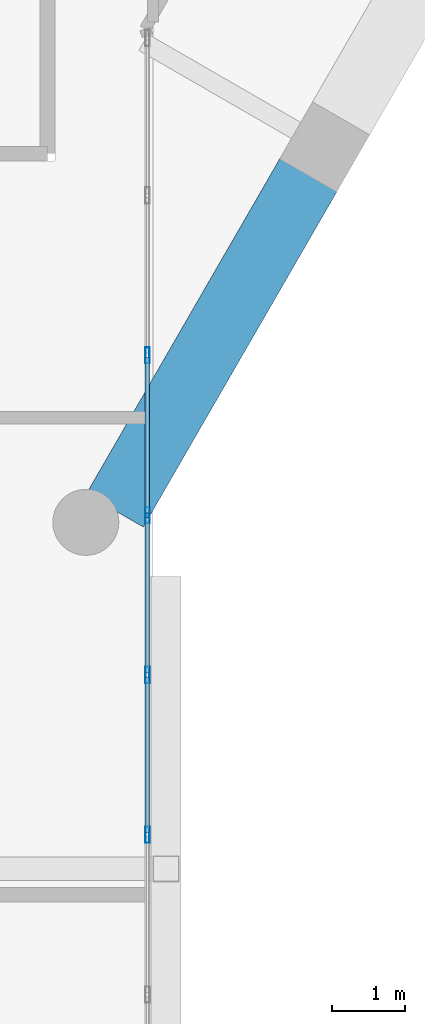
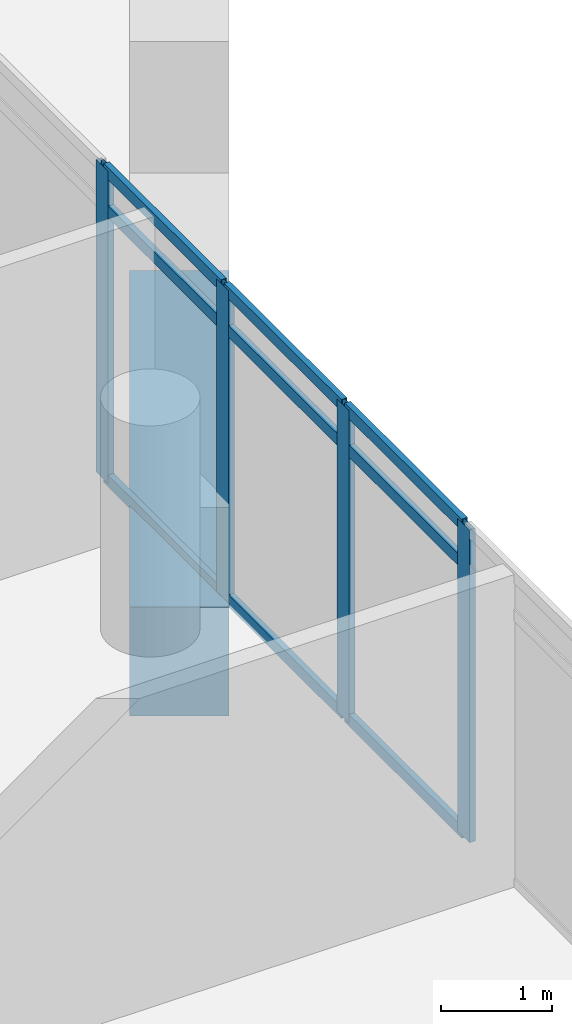
# One storey, part 12 of 34: 13 members, 1 beam, 1 element without a shape of its own.
"""IFC4 building model written with IfcOpenShell, lengths in metres."""

from ifc_helpers import new_model, si_unit, direction, frame, origin, origin_2d, place, context, subcontext, project, spatial, rectangle, hollow_rectangle, extrude, material, material_profile, profile_set, type_object, element, aggregate, save


model = new_model("IFC4")

# Units and contexts
model_context = context("Model", 3, precision=1e-05, world=origin(), true_north=direction((0.0, 1.0)))
body_context = subcontext(model_context, "Body", "Model", "MODEL_VIEW")
ifc_project = project(units=[si_unit("LENGTHUNIT", "METRE"), si_unit("AREAUNIT", "SQUARE_METRE"), si_unit("VOLUMEUNIT", "CUBIC_METRE"), si_unit("PLANEANGLEUNIT", "RADIAN"), si_unit("MASSUNIT", "GRAM", prefix="KILO")], contexts=[model_context])

# Site, building, storey
site_placement = place(None, origin())
site = spatial("IfcSite", under=ifc_project, at=site_placement, CompositionType="ELEMENT")
building_placement = place(site_placement, origin())
building = spatial("IfcBuilding", under=site, at=building_placement, Name="Ostrander Bayou Hotel Tower", CompositionType="ELEMENT")
storey_placement = place(building_placement, frame((0.0, 0.0, 222.0)))
storey = spatial("IfcBuildingStorey", under=building, at=storey_placement, Name="L55", CompositionType="ELEMENT", Elevation=222.0)

# Curtain wall, members
ifc_material_1 = material(Name="Aluminium and clear glass", Category="aluminium")
curtain_wall_type = type_object("IfcCurtainWallType", Name="CW-BAR glazed wall", PredefinedType="NOTDEFINED", material=ifc_material_1)
curtain_wall_placement = place(storey_placement, origin())
curtain_wall = element("IfcCurtainWall", 1, at=curtain_wall_placement, inside=storey, type_object=curtain_wall_type, Name="CW-BAR L55:SB5S:W", PredefinedType="NOTDEFINED")
ifc_material_2 = material(Name="Aluminium", Category="aluminium")
ifc_material_profile_1 = material_profile(ifc_material_2, hollow_rectangle(XDim=0.06005859375, YDim=0.219970703125, WallThickness=0.00390625, at=origin_2d()))
ifc_profile_set_1 = profile_set([ifc_material_profile_1], Name="Aluminium")
member_type_1 = type_object("IfcMemberType", Name="CW-BR mullion 60 x 220 mm", PredefinedType="MULLION", material=ifc_profile_set_1)
member_1_placement = place(storey_placement, frame((10.51220703125, -14.14892578125, 0.0), z_axis=(0.0, 0.0, 1.0), x_axis=(1.0, 0.0, 0.0)))
member_1 = element("IfcMember", 2, at=member_1_placement, type_object=member_type_1, Name="CW-BAR mullion 3", PredefinedType="MULLION", context=body_context, shape_type="SweptSolid", body=[
    extrude(hollow_rectangle(XDim=0.06005859375, YDim=0.219970703125, WallThickness=0.00390625, at=origin_2d()), origin(), (0.0, 0.0, 1.0), 3.449951171875),
])
member_2_placement = place(storey_placement, frame((10.51220703125, -16.3271484375, 0.0), z_axis=(0.0, 0.0, 1.0), x_axis=(1.0, 0.0, 0.0)))
member_2 = element("IfcMember", 3, at=member_2_placement, type_object=member_type_1, Name="CW-BAR mullion 4", PredefinedType="MULLION", context=body_context, shape_type="SweptSolid", body=[
    extrude(hollow_rectangle(XDim=0.06005859375, YDim=0.219970703125, WallThickness=0.00390625, at=origin_2d()), origin(), (0.0, 0.0, 1.0), 3.449951171875),
])
member_3_placement = place(storey_placement, frame((10.51220703125, -18.505615234375, 0.0), z_axis=(0.0, 0.0, 1.0), x_axis=(1.0, 0.0, 0.0)))
member_3 = element("IfcMember", 4, at=member_3_placement, type_object=member_type_1, Name="CW-BAR mullion 5", PredefinedType="MULLION", context=body_context, shape_type="SweptSolid", body=[
    extrude(hollow_rectangle(XDim=0.06005859375, YDim=0.219970703125, WallThickness=0.00390625, at=origin_2d()), origin(), (0.0, 0.0, 1.0), 3.449951171875),
])
member_4_placement = place(storey_placement, frame((10.51220703125, -20.683837890625, 0.0), z_axis=(0.0, 0.0, 1.0), x_axis=(1.0, 0.0, 0.0)))
member_4 = element("IfcMember", 5, at=member_4_placement, type_object=member_type_1, Name="CW-BAR mullion 6", PredefinedType="MULLION", context=body_context, shape_type="SweptSolid", body=[
    extrude(hollow_rectangle(XDim=0.06005859375, YDim=0.219970703125, WallThickness=0.00390625, at=origin_2d()), origin(), (0.0, 0.0, 1.0), 3.449951171875),
])
ifc_material_3 = material(Name="Aluminium", Category="aluminium")
ifc_material_profile_2 = material_profile(ifc_material_3, hollow_rectangle(XDim=0.06005859375, YDim=0.1298828125, WallThickness=0.00390625, at=origin_2d()))
ifc_profile_set_2 = profile_set([ifc_material_profile_2], Name="Aluminium")
member_type_2 = type_object("IfcMemberType", Name="CW-BR transom 60 x 130 mm", PredefinedType="USERDEFINED", material=ifc_profile_set_2)
member_5_placement = place(storey_placement, frame((10.51220703125, -14.178955078125, 0.030029296875), z_axis=(0.0, -1.0, 0.0), x_axis=(1.0, 0.0, 0.0)))
member_5 = element("IfcMember", 6, at=member_5_placement, type_object=member_type_2, Name="CW-BAR transom 3.1", ObjectType="TRANSOM", PredefinedType="USERDEFINED", context=body_context, shape_type="SweptSolid", body=[
    extrude(hollow_rectangle(XDim=0.06005859375, YDim=0.1298828125, WallThickness=0.00390625, at=origin_2d()), origin(), (0.0, 0.0, 1.0), 2.118408203125),
])
member_6_placement = place(storey_placement, frame((10.51220703125, -14.178955078125, 3.0), z_axis=(0.0, -1.0, 0.0), x_axis=(1.0, 0.0, 0.0)))
member_6 = element("IfcMember", 7, at=member_6_placement, type_object=member_type_2, Name="CW-BAR transom 3.2", ObjectType="TRANSOM", PredefinedType="USERDEFINED", context=body_context, shape_type="SweptSolid", body=[
    extrude(hollow_rectangle(XDim=0.06005859375, YDim=0.1298828125, WallThickness=0.00390625, at=origin_2d()), origin(), (0.0, 0.0, 1.0), 2.118408203125),
])
member_7_placement = place(storey_placement, frame((10.51220703125, -14.178955078125, 3.419921875), z_axis=(0.0, -1.0, 0.0), x_axis=(1.0, 0.0, 0.0)))
member_7 = element("IfcMember", 8, at=member_7_placement, type_object=member_type_2, Name="CW-BAR transom 3.3", ObjectType="TRANSOM", PredefinedType="USERDEFINED", context=body_context, shape_type="SweptSolid", body=[
    extrude(hollow_rectangle(XDim=0.06005859375, YDim=0.1298828125, WallThickness=0.00390625, at=origin_2d()), origin(), (0.0, 0.0, 1.0), 2.118408203125),
])
member_8_placement = place(storey_placement, frame((10.51220703125, -16.357177734375, 0.030029296875), z_axis=(0.0, -1.0, 0.0), x_axis=(1.0, 0.0, 0.0)))
member_8 = element("IfcMember", 9, at=member_8_placement, type_object=member_type_2, Name="CW-BAR transom 4.1", ObjectType="TRANSOM", PredefinedType="USERDEFINED", context=body_context, shape_type="SweptSolid", body=[
    extrude(hollow_rectangle(XDim=0.06005859375, YDim=0.1298828125, WallThickness=0.00390625, at=origin_2d()), origin(), (0.0, 0.0, 1.0), 2.118408203125),
])
member_9_placement = place(storey_placement, frame((10.51220703125, -16.357177734375, 3.0), z_axis=(0.0, -1.0, 0.0), x_axis=(1.0, 0.0, 0.0)))
member_9 = element("IfcMember", 10, at=member_9_placement, type_object=member_type_2, Name="CW-BAR transom 4.2", ObjectType="TRANSOM", PredefinedType="USERDEFINED", context=body_context, shape_type="SweptSolid", body=[
    extrude(hollow_rectangle(XDim=0.06005859375, YDim=0.1298828125, WallThickness=0.00390625, at=origin_2d()), origin(), (0.0, 0.0, 1.0), 2.118408203125),
])
member_10_placement = place(storey_placement, frame((10.51220703125, -16.357177734375, 3.419921875), z_axis=(0.0, -1.0, 0.0), x_axis=(1.0, 0.0, 0.0)))
member_10 = element("IfcMember", 11, at=member_10_placement, type_object=member_type_2, Name="CW-BAR transom 4.3", ObjectType="TRANSOM", PredefinedType="USERDEFINED", context=body_context, shape_type="SweptSolid", body=[
    extrude(hollow_rectangle(XDim=0.06005859375, YDim=0.1298828125, WallThickness=0.00390625, at=origin_2d()), origin(), (0.0, 0.0, 1.0), 2.118408203125),
])
member_11_placement = place(storey_placement, frame((10.51220703125, -18.53564453125, 0.030029296875), z_axis=(0.0, -1.0, 0.0), x_axis=(1.0, 0.0, 0.0)))
member_11 = element("IfcMember", 12, at=member_11_placement, type_object=member_type_2, Name="CW-BAR transom 5.1", ObjectType="TRANSOM", PredefinedType="USERDEFINED", context=body_context, shape_type="SweptSolid", body=[
    extrude(hollow_rectangle(XDim=0.06005859375, YDim=0.1298828125, WallThickness=0.00390625, at=origin_2d()), origin(), (0.0, 0.0, 1.0), 2.1181640625),
])
member_12_placement = place(storey_placement, frame((10.51220703125, -18.53564453125, 3.0), z_axis=(0.0, -1.0, 0.0), x_axis=(1.0, 0.0, 0.0)))
member_12 = element("IfcMember", 13, at=member_12_placement, type_object=member_type_2, Name="CW-BAR transom 5.2", ObjectType="TRANSOM", PredefinedType="USERDEFINED", context=body_context, shape_type="SweptSolid", body=[
    extrude(hollow_rectangle(XDim=0.06005859375, YDim=0.1298828125, WallThickness=0.00390625, at=origin_2d()), origin(), (0.0, 0.0, 1.0), 2.1181640625),
])
member_13_placement = place(storey_placement, frame((10.51220703125, -18.53564453125, 3.419921875), z_axis=(0.0, -1.0, 0.0), x_axis=(1.0, 0.0, 0.0)))
member_13 = element("IfcMember", 14, at=member_13_placement, type_object=member_type_2, Name="CW-BAR transom 5.3", ObjectType="TRANSOM", PredefinedType="USERDEFINED", context=body_context, shape_type="SweptSolid", body=[
    extrude(hollow_rectangle(XDim=0.06005859375, YDim=0.1298828125, WallThickness=0.00390625, at=origin_2d()), origin(), (0.0, 0.0, 1.0), 2.1181640625),
])
aggregate(curtain_wall, [member_1, member_2, member_3, member_4, member_5, member_6, member_7, member_8, member_9, member_10, member_11, member_12, member_13])

# Beam
ifc_material_4 = material(Name="Concrete f'c 60 MPa", Category="concrete")
ifc_material_profile_3 = material_profile(ifc_material_4, rectangle(XDim=0.89990234375, YDim=1.199951171875, at=origin_2d()))
ifc_profile_set_3 = profile_set([ifc_material_profile_3], Name="Concrete f'c 60 MPa")
beam_type = type_object("IfcBeamType", Name="SP4 spandrel beam 900 x 1200 mm f'c 60 MPa", PredefinedType="SPANDREL", material=ifc_profile_set_3)
beam_placement = place(storey_placement, frame((10.06640625, -16.264404296875, -0.60009765625), z_axis=(0.500001430823, 0.866024577697, 0.0), x_axis=(-0.866024577697, 0.500001430823, 0.0)))
element("IfcBeam", 15, at=beam_placement, inside=storey, type_object=beam_type, Name="SP4 L55 SE-1", PredefinedType="SPANDREL", context=body_context, shape_type="SweptSolid", body=[
    extrude(rectangle(XDim=0.89990234375, YDim=1.199951171875, at=origin_2d()), origin(), (0.0, 0.0, 1.0), 5.302734375),
])

save(model, "model.ifc")
